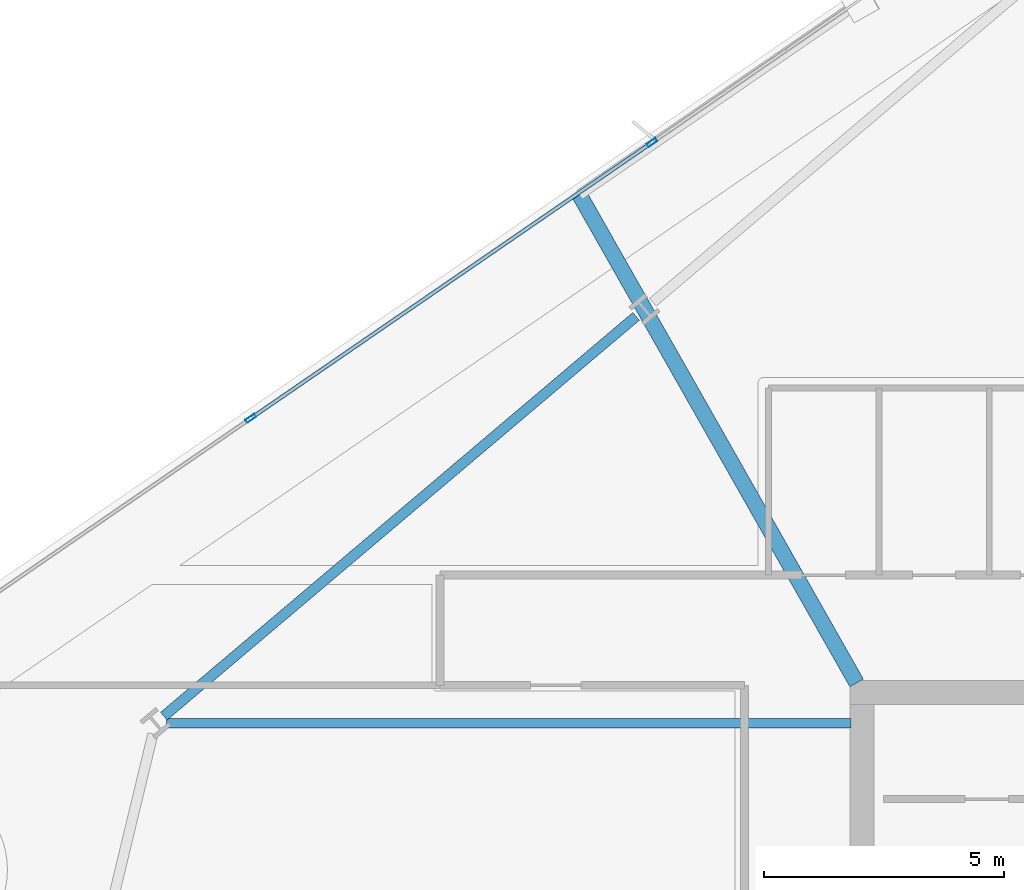
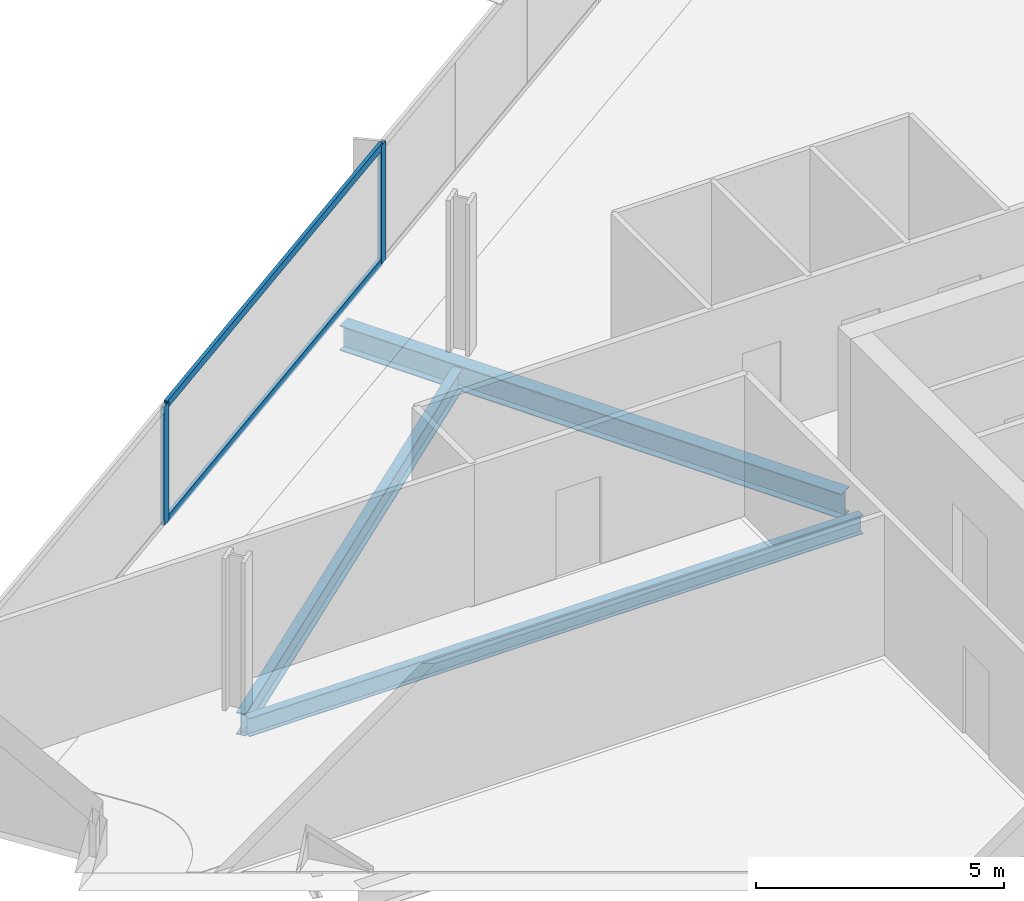
# One storey, part 14 of 29: 4 members, 3 beams, 1 element without a shape of its own.
"""IFC4 building model written with IfcOpenShell, lengths in metres."""

from ifc_helpers import new_model, si_unit, direction, frame, origin, origin_2d, place, context, subcontext, project, spatial, hollow_rectangle, i_section, extrude, material, material_profile, profile_set, type_object, element, aggregate, save


model = new_model("IFC4")

# Units and contexts
model_context = context("Model", 3, precision=1e-05, world=origin(), true_north=direction((0.0, 1.0)))
body_context = subcontext(model_context, "Body", "Model", "MODEL_VIEW")
ifc_project = project(units=[si_unit("LENGTHUNIT", "METRE"), si_unit("AREAUNIT", "SQUARE_METRE"), si_unit("VOLUMEUNIT", "CUBIC_METRE"), si_unit("PLANEANGLEUNIT", "RADIAN"), si_unit("MASSUNIT", "GRAM", prefix="KILO")], contexts=[model_context])

# Site, building, storey
site_placement = place(None, origin())
site = spatial("IfcSite", under=ifc_project, at=site_placement, CompositionType="ELEMENT")
building_placement = place(site_placement, origin())
building = spatial("IfcBuilding", under=site, at=building_placement, Name="Haldenkirk Collegiate Tower", CompositionType="ELEMENT")
storey_placement = place(building_placement, frame((0.0, 0.0, 144.449951171875)))
storey = spatial("IfcBuildingStorey", under=building, at=storey_placement, Name="L35", CompositionType="ELEMENT", Elevation=144.449951171875)

# Beams
ifc_material_1 = material(Name="Steel ASTM A992 Grade 50", Category="steel")
ifc_material_profile_1 = material_profile(ifc_material_1, i_section(OverallWidth=0.324951171875, OverallDepth=0.615966796875, WebThickness=0.013916015625, FlangeThickness=0.021484375, at=origin_2d()), Name="W24X117")
ifc_profile_set_1 = profile_set([ifc_material_profile_1], Name="Steel ASTM A992 Grade 50")
beam_type_1 = type_object("IfcBeamType", Name="BM-GIRDER-W24X117", PredefinedType="BEAM", material=ifc_profile_set_1)
beam_1_placement = place(storey_placement, frame((21.108154296875, 44.377197265625, -0.597900390625), z_axis=(0.493737710141, -0.869610874808, 0.0), x_axis=(0.869610874808, 0.493737710141, 0.0)))
element("IfcBeam", 1, at=beam_1_placement, inside=storey, type_object=beam_type_1, Name="L35 primary floor girder 12", PredefinedType="BEAM", context=body_context, shape_type="SweptSolid", body=[
    extrude(i_section(OverallWidth=0.324951171875, OverallDepth=0.615966796875, WebThickness=0.013916015625, FlangeThickness=0.021484375, at=origin_2d()), origin(), (0.0, 0.0, 1.0), 11.703125),
])
ifc_material_profile_2 = material_profile(ifc_material_1, i_section(OverallWidth=0.18994140625, OverallDepth=0.45703125, WebThickness=0.009033203125, FlangeThickness=0.014404296875, at=origin_2d()), Name="W18X50")
ifc_profile_set_2 = profile_set([ifc_material_profile_2], Name="Steel ASTM A992 Grade 50")
beam_type_2 = type_object("IfcBeamType", Name="BM-JOIST-W18X50", PredefinedType="JOIST", material=ifc_profile_set_2)
beam_2_placement = place(storey_placement, frame((12.4990234375, 33.360107421875, -0.5185546875), z_axis=(1.0, 0.0, 0.0), x_axis=(0.0, 1.0, 0.0)))
element("IfcBeam", 2, at=beam_2_placement, inside=storey, type_object=beam_type_2, Name="L35 composite floor joist 13", PredefinedType="JOIST", context=body_context, shape_type="SweptSolid", body=[
    extrude(i_section(OverallWidth=0.18994140625, OverallDepth=0.45703125, WebThickness=0.009033203125, FlangeThickness=0.014404296875, at=origin_2d()), origin(), (0.0, 0.0, 1.0), 14.27099609375),
])
ifc_material_profile_3 = material_profile(ifc_material_1, i_section(OverallWidth=0.2119140625, OverallDepth=0.5439453125, WebThickness=0.01318359375, FlangeThickness=0.021240234375, at=origin_2d()), Name="W21X83")
ifc_profile_set_3 = profile_set([ifc_material_profile_3], Name="Steel ASTM A992 Grade 50")
beam_type_3 = type_object("IfcBeamType", Name="BM-SPANDREL-W21X83", PredefinedType="SPANDREL", material=ifc_profile_set_3)
beam_3_placement = place(storey_placement, frame((22.288818359375, 41.841796875, -0.56201171875), z_axis=(-0.76322543275, -0.64613229203, 0.0), x_axis=(0.64613229203, -0.76322543275, 0.0)))
element("IfcBeam", 3, at=beam_3_placement, inside=storey, type_object=beam_type_3, Name="L35 perimeter spandrel beam 11", PredefinedType="SPANDREL", context=body_context, shape_type="SweptSolid", body=[
    extrude(i_section(OverallWidth=0.2119140625, OverallDepth=0.5439453125, WebThickness=0.01318359375, FlangeThickness=0.021240234375, at=origin_2d()), origin(), (0.0, 0.0, 1.0), 12.89794921875),
])

# Curtain wall, members
ifc_material_2 = material(Name="Anodised architectural bronze aluminium", Category="aluminium")
curtain_wall_type = type_object("IfcCurtainWallType", Name="CW-SYS1-CONVEX-LOW", PredefinedType="USERDEFINED", material=ifc_material_2)
curtain_wall_placement = place(storey_placement, origin())
curtain_wall = element("IfcCurtainWall", 4, at=curtain_wall_placement, inside=storey, type_object=curtain_wall_type, Name="L35 Lower tower convex bronze-framed unitised curtain wall", ObjectType="UNITISED CURTAIN WALL", PredefinedType="USERDEFINED")
ifc_material_profile_4 = material_profile(ifc_material_2, hollow_rectangle(XDim=0.080078125, YDim=0.219970703125, WallThickness=0.0048828125, at=origin_2d()), Name="CW-MUL-1A")
ifc_profile_set_4 = profile_set([ifc_material_profile_4], Name="Anodised architectural bronze aluminium")
member_type_1 = type_object("IfcMemberType", Name="CW-MUL-1A", PredefinedType="MULLION", material=ifc_profile_set_4)
member_1_placement = place(storey_placement, frame((14.256591796875, 39.716796875, 0.0), z_axis=(0.0, 0.0, 1.0), x_axis=(-0.566404944893, 0.82412707661, 0.0)))
member_1 = element("IfcMember", 5, at=member_1_placement, type_object=member_type_1, Name="CW-1A mullion 2", PredefinedType="MULLION", context=body_context, shape_type="SweptSolid", body=[
    extrude(hollow_rectangle(XDim=0.080078125, YDim=0.219970703125, WallThickness=0.0048828125, at=origin_2d()), origin(), (0.0, 0.0, 1.0), 2.9111328125),
])
member_2_placement = place(storey_placement, frame((22.62158203125, 45.4658203125, 0.0), z_axis=(0.0, 0.0, 1.0), x_axis=(-0.566404944893, 0.82412707661, 0.0)))
member_2 = element("IfcMember", 6, at=member_2_placement, type_object=member_type_1, Name="CW-1A mullion 3", PredefinedType="MULLION", context=body_context, shape_type="SweptSolid", body=[
    extrude(hollow_rectangle(XDim=0.080078125, YDim=0.219970703125, WallThickness=0.0048828125, at=origin_2d()), origin(), (0.0, 0.0, 1.0), 2.9111328125),
])
ifc_material_profile_5 = material_profile(ifc_material_2, hollow_rectangle(XDim=0.080078125, YDim=0.179931640625, WallThickness=0.0048828125, at=origin_2d()), Name="CW-TRN-1A")
ifc_profile_set_5 = profile_set([ifc_material_profile_5], Name="Anodised architectural bronze aluminium")
member_type_2 = type_object("IfcMemberType", Name="CW-TRN-1A", PredefinedType="USERDEFINED", material=ifc_profile_set_5)
member_3_placement = place(storey_placement, frame((14.28955078125, 39.739501953125, 0.0400390625), z_axis=(0.824123264636, 0.566410491327, 0.0), x_axis=(-0.566410491327, 0.824123264636, 0.0)))
member_3 = element("IfcMember", 7, at=member_3_placement, type_object=member_type_2, Name="CW-1A transom 2.1", ObjectType="TRANSOM", PredefinedType="USERDEFINED", context=body_context, shape_type="SweptSolid", body=[
    extrude(hollow_rectangle(XDim=0.080078125, YDim=0.179931640625, WallThickness=0.0048828125, at=origin_2d()), origin(), (0.0, 0.0, 1.0), 10.070068359375),
])
member_4_placement = place(storey_placement, frame((14.28955078125, 39.739501953125, 2.87109375), z_axis=(0.824123264636, 0.566410491327, 0.0), x_axis=(-0.566410491327, 0.824123264636, 0.0)))
member_4 = element("IfcMember", 8, at=member_4_placement, type_object=member_type_2, Name="CW-1A transom 2.2", ObjectType="TRANSOM", PredefinedType="USERDEFINED", context=body_context, shape_type="SweptSolid", body=[
    extrude(hollow_rectangle(XDim=0.080078125, YDim=0.179931640625, WallThickness=0.0048828125, at=origin_2d()), origin(), (0.0, 0.0, 1.0), 10.070068359375),
])
aggregate(curtain_wall, [member_1, member_2, member_3, member_4])

save(model, "model.ifc")
